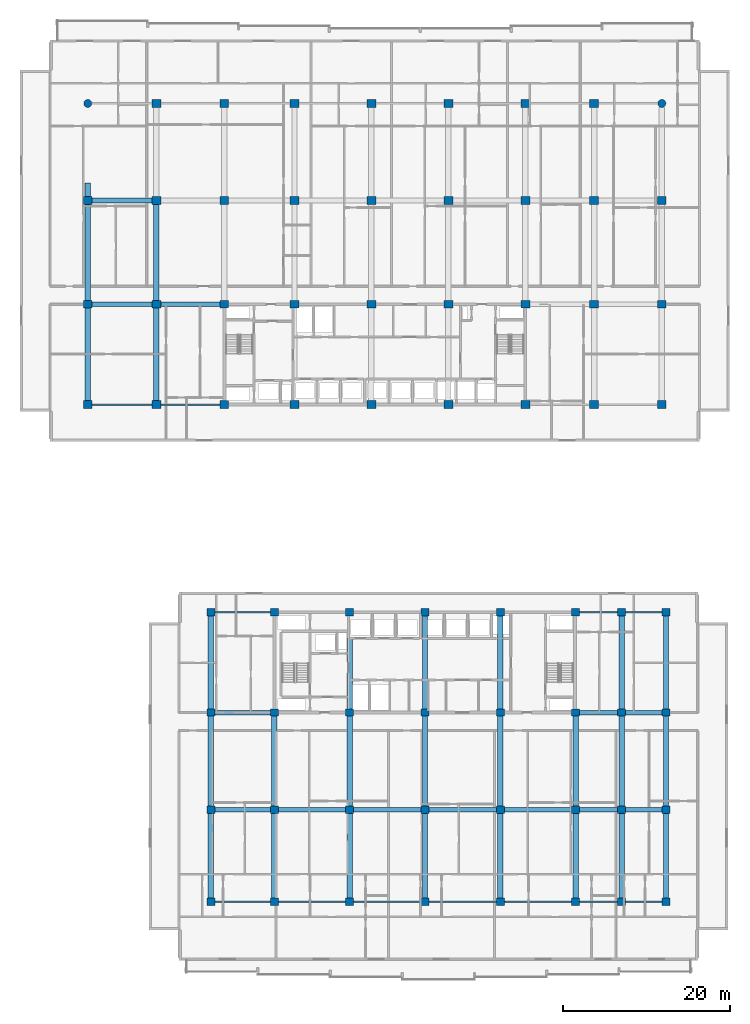
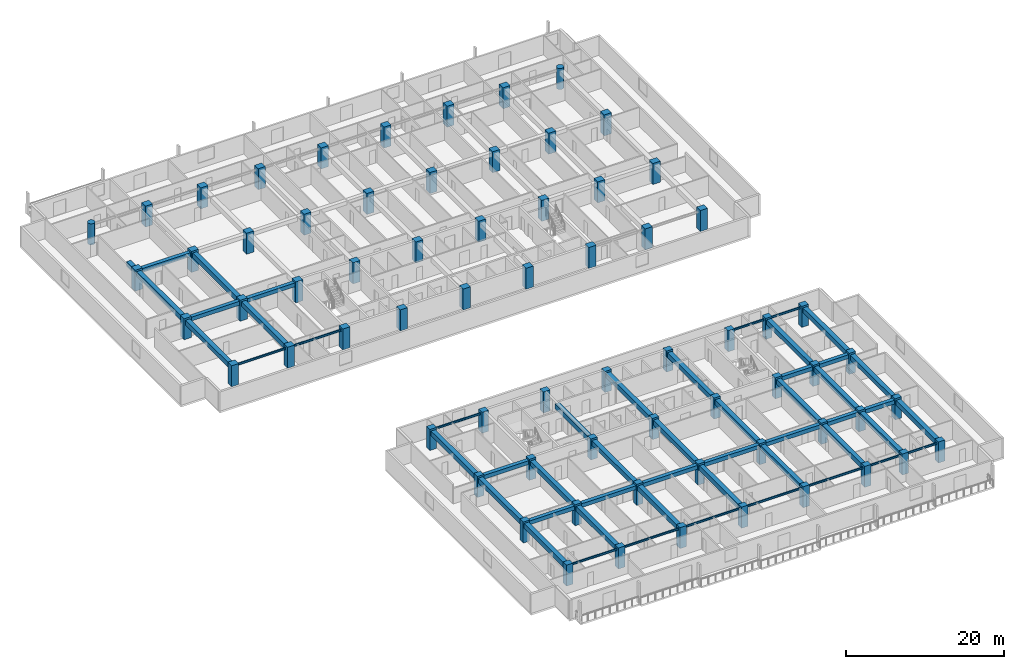
# One storey, part 1 of 24: 68 columns, 52 beams.
"""IFC4 building model written with IfcOpenShell, lengths in metres."""

from ifc_helpers import new_model, si_unit, direction, frame, origin, origin_2d, place, context, subcontext, project, spatial, rectangle, circle, i_section, extrude, material, material_profile, profile_set, type_object, element, save


model = new_model("IFC4")

# Units and contexts
model_context = context("Model", 3, precision=1e-05, world=origin(), true_north=direction((0.0, 1.0)))
body_context = subcontext(model_context, "Body", "Model", "MODEL_VIEW")
ifc_project = project(units=[si_unit("LENGTHUNIT", "METRE"), si_unit("AREAUNIT", "SQUARE_METRE"), si_unit("VOLUMEUNIT", "CUBIC_METRE"), si_unit("PLANEANGLEUNIT", "RADIAN"), si_unit("MASSUNIT", "GRAM", prefix="KILO")], contexts=[model_context])

# Site, building, storey
site_placement = place(None, origin())
site = spatial("IfcSite", under=ifc_project, at=site_placement, CompositionType="ELEMENT")
building_placement = place(site_placement, origin())
building = spatial("IfcBuilding", under=site, at=building_placement, Name="Korimba Cascade Residences", CompositionType="ELEMENT")
storey_placement = place(building_placement, frame((0.0, 0.0, 66.25)))
storey = spatial("IfcBuildingStorey", under=building, at=storey_placement, Name="L18", CompositionType="ELEMENT", Elevation=66.25)

# Columns
ifc_material_1 = material(Name="Concrete C80/95", Category="concrete")
ifc_material_profile_1 = material_profile(ifc_material_1, rectangle(XDim=1.050048828125, YDim=0.949951171875, at=origin_2d()), Name="Concrete C80/95")
ifc_profile_set_1 = profile_set([ifc_material_profile_1], Name="Concrete C80/95")
column_type_1 = type_object("IfcColumnType", Name="COL-RC-1050", PredefinedType="COLUMN", material=ifc_profile_set_1)
for number, where, z_axis, x_axis, name in (
    (1, (59.800048828125, 55.199951171875, 0.0), (0.0, 0.0, 1.0), (1.0, 0.0, 0.0), "L18 Tower 1 Column 1.1"),
    (2, (59.800048828125, 67.199951171875, 0.0), (0.0, 0.0, 1.0), (1.0, 0.0, 0.0), "L18 Tower 1 Column 1.2"),
    (3, (59.800048828125, 79.60009765625, 0.0), (0.0, 0.0, 1.0), (1.0, 0.0, 0.0), "L18 Tower 1 Column 1.3"),
    (4, (68.0, 55.199951171875, 0.0), (0.0, 0.0, 1.0), (1.0, 0.0, 0.0), "L18 Tower 1 Column 2.1"),
    (5, (68.0, 67.199951171875, 0.0), (0.0, 0.0, 1.0), (1.0, 0.0, 0.0), "L18 Tower 1 Column 2.2"),
    (6, (68.0, 79.60009765625, 0.0), (0.0, 0.0, 1.0), (1.0, 0.0, 0.0), "L18 Tower 1 Column 2.3"),
    (7, (68.0, 91.199951171875, 0.0), (0.0, 0.0, 1.0), (1.0, 0.0, 0.0), "L18 Tower 1 Column 2.4"),
    (8, (76.10009765625, 55.199951171875, 0.0), (0.0, 0.0, 1.0), (1.0, 0.0, 0.0), "L18 Tower 1 Column 3.1"),
    (9, (76.10009765625, 67.199951171875, 0.0), (0.0, 0.0, 1.0), (1.0, 0.0, 0.0), "L18 Tower 1 Column 3.2"),
    (10, (76.10009765625, 79.60009765625, 0.0), (0.0, 0.0, 1.0), (1.0, 0.0, 0.0), "L18 Tower 1 Column 3.3"),
    (11, (76.10009765625, 91.199951171875, 0.0), (0.0, 0.0, 1.0), (1.0, 0.0, 0.0), "L18 Tower 1 Column 3.4"),
    (12, (84.5, 55.199951171875, 0.0), (0.0, 0.0, 1.0), (1.0, 0.0, 0.0), "L18 Tower 1 Column 4.1"),
    (13, (84.5, 67.199951171875, 0.0), (0.0, 0.0, 1.0), (1.0, 0.0, 0.0), "L18 Tower 1 Column 4.2"),
    (14, (84.5, 79.60009765625, 0.0), (0.0, 0.0, 1.0), (1.0, 0.0, 0.0), "L18 Tower 1 Column 4.3"),
    (15, (84.5, 91.199951171875, 0.0), (0.0, 0.0, 1.0), (1.0, 0.0, 0.0), "L18 Tower 1 Column 4.4"),
    (16, (93.699951171875, 55.199951171875, 0.0), (0.0, 0.0, 1.0), (1.0, 0.0, 0.0), "L18 Tower 1 Column 5.1"),
    (17, (93.699951171875, 67.199951171875, 0.0), (0.0, 0.0, 1.0), (1.0, 0.0, 0.0), "L18 Tower 1 Column 5.2"),
    (18, (93.699951171875, 79.60009765625, 0.0), (0.0, 0.0, 1.0), (1.0, 0.0, 0.0), "L18 Tower 1 Column 5.3"),
    (19, (93.699951171875, 91.199951171875, 0.0), (0.0, 0.0, 1.0), (1.0, 0.0, 0.0), "L18 Tower 1 Column 5.4"),
    (20, (102.89990234375, 55.199951171875, 0.0), (0.0, 0.0, 1.0), (1.0, 0.0, 0.0), "L18 Tower 1 Column 6.1"),
    (21, (102.89990234375, 67.199951171875, 0.0), (0.0, 0.0, 1.0), (1.0, 0.0, 0.0), "L18 Tower 1 Column 6.2"),
    (22, (102.89990234375, 79.60009765625, 0.0), (0.0, 0.0, 1.0), (1.0, 0.0, 0.0), "L18 Tower 1 Column 6.3"),
    (23, (102.89990234375, 91.199951171875, 0.0), (0.0, 0.0, 1.0), (1.0, 0.0, 0.0), "L18 Tower 1 Column 6.4"),
    (24, (112.10009765625, 55.199951171875, 0.0), (0.0, 0.0, 1.0), (1.0, 0.0, 0.0), "L18 Tower 1 Column 7.1"),
    (25, (112.10009765625, 67.199951171875, 0.0), (0.0, 0.0, 1.0), (1.0, 0.0, 0.0), "L18 Tower 1 Column 7.2"),
    (26, (112.10009765625, 79.60009765625, 0.0), (0.0, 0.0, 1.0), (1.0, 0.0, 0.0), "L18 Tower 1 Column 7.3"),
    (27, (112.10009765625, 91.199951171875, 0.0), (0.0, 0.0, 1.0), (1.0, 0.0, 0.0), "L18 Tower 1 Column 7.4"),
    (28, (120.300048828125, 55.199951171875, 0.0), (0.0, 0.0, 1.0), (1.0, 0.0, 0.0), "L18 Tower 1 Column 8.1"),
    (29, (120.300048828125, 67.199951171875, 0.0), (0.0, 0.0, 1.0), (1.0, 0.0, 0.0), "L18 Tower 1 Column 8.2"),
    (30, (120.300048828125, 79.60009765625, 0.0), (0.0, 0.0, 1.0), (1.0, 0.0, 0.0), "L18 Tower 1 Column 8.3"),
    (31, (120.300048828125, 91.199951171875, 0.0), (0.0, 0.0, 1.0), (1.0, 0.0, 0.0), "L18 Tower 1 Column 8.4"),
    (32, (128.39990234375, 55.199951171875, 0.0), (0.0, 0.0, 1.0), (1.0, 0.0, 0.0), "L18 Tower 1 Column 9.1"),
    (33, (128.39990234375, 67.199951171875, 0.0), (0.0, 0.0, 1.0), (1.0, 0.0, 0.0), "L18 Tower 1 Column 9.2"),
    (34, (128.39990234375, 79.60009765625, 0.0), (0.0, 0.0, 1.0), (1.0, 0.0, 0.0), "L18 Tower 1 Column 9.3"),
):
    element("IfcColumn", number, at=place(storey_placement, frame(where, z_axis=z_axis, x_axis=x_axis)), inside=storey, type_object=column_type_1, Name=name, PredefinedType="COLUMN", context=body_context, shape_type="SweptSolid", body=[
        extrude(rectangle(XDim=1.050048828125, YDim=0.949951171875, at=origin_2d()), origin(), (0.0, 0.0, 1.0), 3.25),
    ])
ifc_material_2 = material(Name="Concrete C65/80", Category="concrete")
ifc_material_profile_2 = material_profile(ifc_material_2, rectangle(XDim=0.949951171875, YDim=0.85009765625, at=origin_2d()), Name="Concrete C65/80")
ifc_profile_set_2 = profile_set([ifc_material_profile_2], Name="Concrete C65/80")
column_type_2 = type_object("IfcColumnType", Name="COL-RC-950", PredefinedType="COLUMN", material=ifc_profile_set_2)
for number, where, z_axis, x_axis, name in (
    (35, (74.5, -4.199951171875, 0.0), (0.0, 0.0, 1.0), (1.0, 0.0, 0.0), "L18 Tower 2 Column 1.1"),
    (36, (74.5, 6.800048828125, 0.0), (0.0, 0.0, 1.0), (1.0, 0.0, 0.0), "L18 Tower 2 Column 1.2"),
    (37, (74.5, 18.39990234375, 0.0), (0.0, 0.0, 1.0), (1.0, 0.0, 0.0), "L18 Tower 2 Column 1.3"),
    (38, (74.5, 30.39990234375, 0.0), (0.0, 0.0, 1.0), (1.0, 0.0, 0.0), "L18 Tower 2 Column 1.4"),
    (39, (82.10009765625, -4.199951171875, 0.0), (0.0, 0.0, 1.0), (1.0, 0.0, 0.0), "L18 Tower 2 Column 2.1"),
    (40, (82.10009765625, 6.800048828125, 0.0), (0.0, 0.0, 1.0), (1.0, 0.0, 0.0), "L18 Tower 2 Column 2.2"),
    (41, (82.10009765625, 18.39990234375, 0.0), (0.0, 0.0, 1.0), (1.0, 0.0, 0.0), "L18 Tower 2 Column 2.3"),
    (42, (82.10009765625, 30.39990234375, 0.0), (0.0, 0.0, 1.0), (1.0, 0.0, 0.0), "L18 Tower 2 Column 2.4"),
    (43, (91.10009765625, -4.199951171875, 0.0), (0.0, 0.0, 1.0), (1.0, 0.0, 0.0), "L18 Tower 2 Column 3.1"),
    (44, (91.10009765625, 6.800048828125, 0.0), (0.0, 0.0, 1.0), (1.0, 0.0, 0.0), "L18 Tower 2 Column 3.2"),
    (45, (91.10009765625, 18.39990234375, 0.0), (0.0, 0.0, 1.0), (1.0, 0.0, 0.0), "L18 Tower 2 Column 3.3"),
    (46, (91.10009765625, 30.39990234375, 0.0), (0.0, 0.0, 1.0), (1.0, 0.0, 0.0), "L18 Tower 2 Column 3.4"),
    (47, (100.10009765625, -4.199951171875, 0.0), (0.0, 0.0, 1.0), (1.0, 0.0, 0.0), "L18 Tower 2 Column 4.1"),
    (48, (100.10009765625, 6.800048828125, 0.0), (0.0, 0.0, 1.0), (1.0, 0.0, 0.0), "L18 Tower 2 Column 4.2"),
    (49, (100.10009765625, 18.39990234375, 0.0), (0.0, 0.0, 1.0), (1.0, 0.0, 0.0), "L18 Tower 2 Column 4.3"),
    (50, (100.10009765625, 30.39990234375, 0.0), (0.0, 0.0, 1.0), (1.0, 0.0, 0.0), "L18 Tower 2 Column 4.4"),
    (51, (109.10009765625, -4.199951171875, 0.0), (0.0, 0.0, 1.0), (1.0, 0.0, 0.0), "L18 Tower 2 Column 5.1"),
    (52, (109.10009765625, 6.800048828125, 0.0), (0.0, 0.0, 1.0), (1.0, 0.0, 0.0), "L18 Tower 2 Column 5.2"),
    (53, (109.10009765625, 18.39990234375, 0.0), (0.0, 0.0, 1.0), (1.0, 0.0, 0.0), "L18 Tower 2 Column 5.3"),
    (54, (109.10009765625, 30.39990234375, 0.0), (0.0, 0.0, 1.0), (1.0, 0.0, 0.0), "L18 Tower 2 Column 5.4"),
    (55, (118.10009765625, -4.199951171875, 0.0), (0.0, 0.0, 1.0), (1.0, 0.0, 0.0), "L18 Tower 2 Column 6.1"),
    (56, (118.10009765625, 6.800048828125, 0.0), (0.0, 0.0, 1.0), (1.0, 0.0, 0.0), "L18 Tower 2 Column 6.2"),
    (57, (118.10009765625, 18.39990234375, 0.0), (0.0, 0.0, 1.0), (1.0, 0.0, 0.0), "L18 Tower 2 Column 6.3"),
    (58, (118.10009765625, 30.39990234375, 0.0), (0.0, 0.0, 1.0), (1.0, 0.0, 0.0), "L18 Tower 2 Column 6.4"),
    (59, (123.60009765625, -4.199951171875, 0.0), (0.0, 0.0, 1.0), (1.0, 0.0, 0.0), "L18 Tower 2 Column 7.1"),
    (60, (123.60009765625, 6.800048828125, 0.0), (0.0, 0.0, 1.0), (1.0, 0.0, 0.0), "L18 Tower 2 Column 7.2"),
    (61, (123.60009765625, 18.39990234375, 0.0), (0.0, 0.0, 1.0), (1.0, 0.0, 0.0), "L18 Tower 2 Column 7.3"),
    (62, (123.60009765625, 30.39990234375, 0.0), (0.0, 0.0, 1.0), (1.0, 0.0, 0.0), "L18 Tower 2 Column 7.4"),
    (63, (128.89990234375, -4.199951171875, 0.0), (0.0, 0.0, 1.0), (1.0, 0.0, 0.0), "L18 Tower 2 Column 8.1"),
    (64, (128.89990234375, 6.800048828125, 0.0), (0.0, 0.0, 1.0), (1.0, 0.0, 0.0), "L18 Tower 2 Column 8.2"),
    (65, (128.89990234375, 18.39990234375, 0.0), (0.0, 0.0, 1.0), (1.0, 0.0, 0.0), "L18 Tower 2 Column 8.3"),
    (66, (128.89990234375, 30.39990234375, 0.0), (0.0, 0.0, 1.0), (1.0, 0.0, 0.0), "L18 Tower 2 Column 8.4"),
):
    element("IfcColumn", number, at=place(storey_placement, frame(where, z_axis=z_axis, x_axis=x_axis)), inside=storey, type_object=column_type_2, Name=name, PredefinedType="COLUMN", context=body_context, shape_type="SweptSolid", body=[
        extrude(rectangle(XDim=0.949951171875, YDim=0.85009765625, at=origin_2d()), origin(), (0.0, 0.0, 1.0), 3.25),
    ])
ifc_material_profile_3 = material_profile(ifc_material_1, circle(Radius=0.47509765625, at=origin_2d()), Name="Concrete C80/95")
ifc_profile_set_3 = profile_set([ifc_material_profile_3], Name="Concrete C80/95")
column_type_3 = type_object("IfcColumnType", Name="COL-RC-D950", PredefinedType="COLUMN", material=ifc_profile_set_3)
for number, where, z_axis, x_axis, name in (
    (67, (59.800048828125, 91.199951171875, 0.0), (0.0, 0.0, 1.0), (1.0, 0.0, 0.0), "L18 Tower 1 Column 1.4"),
    (68, (128.39990234375, 91.199951171875, 0.0), (0.0, 0.0, 1.0), (1.0, 0.0, 0.0), "L18 Tower 1 Column 9.4"),
):
    element("IfcColumn", number, at=place(storey_placement, frame(where, z_axis=z_axis, x_axis=x_axis)), inside=storey, type_object=column_type_3, Name=name, PredefinedType="COLUMN", context=body_context, shape_type="SweptSolid", body=[
        extrude(circle(Radius=0.47509765625, at=origin_2d()), origin(), (0.0, 0.0, 1.0), 3.25),
    ])

# Beams
ifc_material_3 = material(Name="Concrete C50/60", Category="concrete")
ifc_material_profile_4 = material_profile(ifc_material_3, rectangle(XDim=0.550048828125, YDim=0.60009765625, at=origin_2d()), Name="Concrete C50/60")
ifc_profile_set_4 = profile_set([ifc_material_profile_4], Name="Concrete C50/60")
beam_type_1 = type_object("IfcBeamType", Name="BM-RC-B600", PredefinedType="BEAM", material=ifc_profile_set_4)
beam_1_placement = place(storey_placement, frame((60.324951171875, 67.199951171875, 2.669921875), z_axis=(1.0, 0.0, 0.0), x_axis=(0.0, 1.0, 0.0)))
element("IfcBeam", 69, at=beam_1_placement, inside=storey, type_object=beam_type_1, Name="L18 T1 E-W Girder Y2 Bay 1", PredefinedType="BEAM", context=body_context, shape_type="SweptSolid", body=[
    extrude(rectangle(XDim=0.550048828125, YDim=0.60009765625, at=origin_2d()), origin(), (0.0, 0.0, 1.0), 7.150146484375),
])
beam_2_placement = place(storey_placement, frame((68.52490234375, 67.199951171875, 2.669921875), z_axis=(1.0, 0.0, 0.0), x_axis=(0.0, 1.0, 0.0)))
element("IfcBeam", 70, at=beam_2_placement, inside=storey, type_object=beam_type_1, Name="L18 T1 E-W Girder Y2 Bay 2", PredefinedType="BEAM", context=body_context, shape_type="SweptSolid", body=[
    extrude(rectangle(XDim=0.550048828125, YDim=0.60009765625, at=origin_2d()), origin(), (0.0, 0.0, 1.0), 7.050048828125),
])
beam_3_placement = place(storey_placement, frame((60.324951171875, 79.60009765625, 2.669921875), z_axis=(1.0, 0.0, 0.0), x_axis=(0.0, 1.0, 0.0)))
element("IfcBeam", 71, at=beam_3_placement, inside=storey, type_object=beam_type_1, Name="L18 T1 E-W Girder Y3 Bay 1", PredefinedType="BEAM", context=body_context, shape_type="SweptSolid", body=[
    extrude(rectangle(XDim=0.550048828125, YDim=0.60009765625, at=origin_2d()), origin(), (0.0, 0.0, 1.0), 7.150146484375),
])
beam_4_placement = place(storey_placement, frame((74.97509765625, 6.800048828125, 2.669921875), z_axis=(1.0, 0.0, 0.0), x_axis=(0.0, 1.0, 0.0)))
element("IfcBeam", 72, at=beam_4_placement, inside=storey, type_object=beam_type_1, Name="L18 T2 E-W Girder Y2 Bay 1", PredefinedType="BEAM", context=body_context, shape_type="SweptSolid", body=[
    extrude(rectangle(XDim=0.550048828125, YDim=0.60009765625, at=origin_2d()), origin(), (0.0, 0.0, 1.0), 6.64990234375),
])
for number, where, z_axis, x_axis, name in (
    (73, (82.574951171875, 6.800048828125, 2.669921875), (1.0, 0.0, 0.0), (0.0, 1.0, 0.0), "L18 T2 E-W Girder Y2 Bay 2"),
    (74, (91.574951171875, 6.800048828125, 2.669921875), (1.0, 0.0, 0.0), (0.0, 1.0, 0.0), "L18 T2 E-W Girder Y2 Bay 3"),
    (75, (100.574951171875, 6.800048828125, 2.669921875), (1.0, 0.0, 0.0), (0.0, 1.0, 0.0), "L18 T2 E-W Girder Y2 Bay 4"),
    (76, (109.574951171875, 6.800048828125, 2.669921875), (1.0, 0.0, 0.0), (0.0, 1.0, 0.0), "L18 T2 E-W Girder Y2 Bay 5"),
):
    element("IfcBeam", number, at=place(storey_placement, frame(where, z_axis=z_axis, x_axis=x_axis)), inside=storey, type_object=beam_type_1, Name=name, PredefinedType="BEAM", context=body_context, shape_type="SweptSolid", body=[
        extrude(rectangle(XDim=0.550048828125, YDim=0.60009765625, at=origin_2d()), origin(), (0.0, 0.0, 1.0), 8.050048828125),
    ])
beam_5_placement = place(storey_placement, frame((118.574951171875, 6.800048828125, 2.669921875), z_axis=(1.0, 0.0, 0.0), x_axis=(0.0, 1.0, 0.0)))
element("IfcBeam", 77, at=beam_5_placement, inside=storey, type_object=beam_type_1, Name="L18 T2 E-W Girder Y2 Bay 6", PredefinedType="BEAM", context=body_context, shape_type="SweptSolid", body=[
    extrude(rectangle(XDim=0.550048828125, YDim=0.60009765625, at=origin_2d()), origin(), (0.0, 0.0, 1.0), 4.550048828125),
])
beam_6_placement = place(storey_placement, frame((124.074951171875, 6.800048828125, 2.669921875), z_axis=(1.0, 0.0, 0.0), x_axis=(0.0, 1.0, 0.0)))
element("IfcBeam", 78, at=beam_6_placement, inside=storey, type_object=beam_type_1, Name="L18 T2 E-W Girder Y2 Bay 7", PredefinedType="BEAM", context=body_context, shape_type="SweptSolid", body=[
    extrude(rectangle(XDim=0.550048828125, YDim=0.60009765625, at=origin_2d()), origin(), (0.0, 0.0, 1.0), 4.35009765625),
])
beam_7_placement = place(storey_placement, frame((74.97509765625, 18.39990234375, 2.669921875), z_axis=(1.0, 0.0, 0.0), x_axis=(0.0, 1.0, 0.0)))
element("IfcBeam", 79, at=beam_7_placement, inside=storey, type_object=beam_type_1, Name="L18 T2 E-W Girder Y3 Bay 1", PredefinedType="BEAM", context=body_context, shape_type="SweptSolid", body=[
    extrude(rectangle(XDim=0.550048828125, YDim=0.60009765625, at=origin_2d()), origin(), (0.0, 0.0, 1.0), 6.64990234375),
])
beam_8_placement = place(storey_placement, frame((118.574951171875, 18.39990234375, 2.669921875), z_axis=(1.0, 0.0, 0.0), x_axis=(0.0, 1.0, 0.0)))
element("IfcBeam", 80, at=beam_8_placement, inside=storey, type_object=beam_type_1, Name="L18 T2 E-W Girder Y3 Bay 6", PredefinedType="BEAM", context=body_context, shape_type="SweptSolid", body=[
    extrude(rectangle(XDim=0.550048828125, YDim=0.60009765625, at=origin_2d()), origin(), (0.0, 0.0, 1.0), 4.550048828125),
])
beam_9_placement = place(storey_placement, frame((124.074951171875, 18.39990234375, 2.669921875), z_axis=(1.0, 0.0, 0.0), x_axis=(0.0, 1.0, 0.0)))
element("IfcBeam", 81, at=beam_9_placement, inside=storey, type_object=beam_type_1, Name="L18 T2 E-W Girder Y3 Bay 7", PredefinedType="BEAM", context=body_context, shape_type="SweptSolid", body=[
    extrude(rectangle(XDim=0.550048828125, YDim=0.60009765625, at=origin_2d()), origin(), (0.0, 0.0, 1.0), 4.35009765625),
])
ifc_material_profile_5 = material_profile(ifc_material_3, rectangle(XDim=0.64990234375, YDim=0.75, at=origin_2d()), Name="Concrete C50/60")
ifc_profile_set_5 = profile_set([ifc_material_profile_5], Name="Concrete C50/60")
beam_type_2 = type_object("IfcBeamType", Name="BM-RC-G750", PredefinedType="BEAM", material=ifc_profile_set_5)
beam_10_placement = place(storey_placement, frame((59.800048828125, 55.675048828125, 2.594970703125), z_axis=(0.0, 1.0, 0.0), x_axis=(-1.0, 0.0, 0.0)))
element("IfcBeam", 82, at=beam_10_placement, inside=storey, type_object=beam_type_2, Name="L18 T1 N-S Girder X1 Seg 1", PredefinedType="BEAM", context=body_context, shape_type="SweptSolid", body=[
    extrude(rectangle(XDim=0.64990234375, YDim=0.75, at=origin_2d()), origin(), (0.0, 0.0, 1.0), 11.050048828125),
])
beam_11_placement = place(storey_placement, frame((59.800048828125, 67.675048828125, 2.594970703125), z_axis=(0.0, 1.0, 0.0), x_axis=(-1.0, 0.0, 0.0)))
element("IfcBeam", 83, at=beam_11_placement, inside=storey, type_object=beam_type_2, Name="L18 T1 N-S Girder X1 Seg 2", PredefinedType="BEAM", context=body_context, shape_type="SweptSolid", body=[
    extrude(rectangle(XDim=0.64990234375, YDim=0.75, at=origin_2d()), origin(), (0.0, 0.0, 1.0), 11.449951171875),
])
beam_12_placement = place(storey_placement, frame((59.800048828125, 80.074951171875, 2.594970703125), z_axis=(0.0, 1.0, 0.0), x_axis=(-1.0, 0.0, 0.0)))
element("IfcBeam", 84, at=beam_12_placement, inside=storey, type_object=beam_type_2, Name="L18 T1 N-S Girder X1 Seg 3", PredefinedType="BEAM", context=body_context, shape_type="SweptSolid", body=[
    extrude(rectangle(XDim=0.64990234375, YDim=0.75, at=origin_2d()), origin(), (0.0, 0.0, 1.0), 1.625),
])
beam_13_placement = place(storey_placement, frame((68.0, 55.675048828125, 2.594970703125), z_axis=(0.0, 1.0, 0.0), x_axis=(-1.0, 0.0, 0.0)))
element("IfcBeam", 85, at=beam_13_placement, inside=storey, type_object=beam_type_2, Name="L18 T1 N-S Girder X2 Seg 1", PredefinedType="BEAM", context=body_context, shape_type="SweptSolid", body=[
    extrude(rectangle(XDim=0.64990234375, YDim=0.75, at=origin_2d()), origin(), (0.0, 0.0, 1.0), 11.050048828125),
])
beam_14_placement = place(storey_placement, frame((68.0, 67.675048828125, 2.594970703125), z_axis=(0.0, 1.0, 0.0), x_axis=(-1.0, 0.0, 0.0)))
element("IfcBeam", 86, at=beam_14_placement, inside=storey, type_object=beam_type_2, Name="L18 T1 N-S Girder X2 Seg 2", PredefinedType="BEAM", context=body_context, shape_type="SweptSolid", body=[
    extrude(rectangle(XDim=0.64990234375, YDim=0.75, at=origin_2d()), origin(), (0.0, 0.0, 1.0), 11.449951171875),
])
beam_15_placement = place(storey_placement, frame((74.5, -3.77490234375, 2.594970703125), z_axis=(0.0, 1.0, 0.0), x_axis=(-1.0, 0.0, 0.0)))
element("IfcBeam", 87, at=beam_15_placement, inside=storey, type_object=beam_type_2, Name="L18 T2 N-S Girder X1 Seg 1", PredefinedType="BEAM", context=body_context, shape_type="SweptSolid", body=[
    extrude(rectangle(XDim=0.64990234375, YDim=0.75, at=origin_2d()), origin(), (0.0, 0.0, 1.0), 10.14990234375),
])
beam_16_placement = place(storey_placement, frame((74.5, 7.22509765625, 2.594970703125), z_axis=(0.0, 1.0, 0.0), x_axis=(-1.0, 0.0, 0.0)))
element("IfcBeam", 88, at=beam_16_placement, inside=storey, type_object=beam_type_2, Name="L18 T2 N-S Girder X1 Seg 2", PredefinedType="BEAM", context=body_context, shape_type="SweptSolid", body=[
    extrude(rectangle(XDim=0.64990234375, YDim=0.75, at=origin_2d()), origin(), (0.0, 0.0, 1.0), 10.75),
])
beam_17_placement = place(storey_placement, frame((74.5, 18.824951171875, 2.594970703125), z_axis=(0.0, 1.0, 0.0), x_axis=(-1.0, 0.0, 0.0)))
element("IfcBeam", 89, at=beam_17_placement, inside=storey, type_object=beam_type_2, Name="L18 T2 N-S Girder X1 Seg 3", PredefinedType="BEAM", context=body_context, shape_type="SweptSolid", body=[
    extrude(rectangle(XDim=0.64990234375, YDim=0.75, at=origin_2d()), origin(), (0.0, 0.0, 1.0), 11.150146484375),
])
beam_18_placement = place(storey_placement, frame((82.10009765625, -3.77490234375, 2.594970703125), z_axis=(0.0, 1.0, 0.0), x_axis=(-1.0, 0.0, 0.0)))
element("IfcBeam", 90, at=beam_18_placement, inside=storey, type_object=beam_type_2, Name="L18 T2 N-S Girder X2 Seg 1", PredefinedType="BEAM", context=body_context, shape_type="SweptSolid", body=[
    extrude(rectangle(XDim=0.64990234375, YDim=0.75, at=origin_2d()), origin(), (0.0, 0.0, 1.0), 10.14990234375),
])
beam_19_placement = place(storey_placement, frame((82.10009765625, 7.22509765625, 2.594970703125), z_axis=(0.0, 1.0, 0.0), x_axis=(-1.0, 0.0, 0.0)))
element("IfcBeam", 91, at=beam_19_placement, inside=storey, type_object=beam_type_2, Name="L18 T2 N-S Girder X2 Seg 2", PredefinedType="BEAM", context=body_context, shape_type="SweptSolid", body=[
    extrude(rectangle(XDim=0.64990234375, YDim=0.75, at=origin_2d()), origin(), (0.0, 0.0, 1.0), 10.75),
])
beam_20_placement = place(storey_placement, frame((91.10009765625, -3.77490234375, 2.594970703125), z_axis=(0.0, 1.0, 0.0), x_axis=(-1.0, 0.0, 0.0)))
element("IfcBeam", 92, at=beam_20_placement, inside=storey, type_object=beam_type_2, Name="L18 T2 N-S Girder X3 Seg 1", PredefinedType="BEAM", context=body_context, shape_type="SweptSolid", body=[
    extrude(rectangle(XDim=0.64990234375, YDim=0.75, at=origin_2d()), origin(), (0.0, 0.0, 1.0), 10.14990234375),
])
beam_21_placement = place(storey_placement, frame((91.10009765625, 7.22509765625, 2.594970703125), z_axis=(0.0, 1.0, 0.0), x_axis=(-1.0, 0.0, 0.0)))
element("IfcBeam", 93, at=beam_21_placement, inside=storey, type_object=beam_type_2, Name="L18 T2 N-S Girder X3 Seg 2", PredefinedType="BEAM", context=body_context, shape_type="SweptSolid", body=[
    extrude(rectangle(XDim=0.64990234375, YDim=0.75, at=origin_2d()), origin(), (0.0, 0.0, 1.0), 10.75),
])
beam_22_placement = place(storey_placement, frame((91.10009765625, 18.824951171875, 2.594970703125), z_axis=(0.0, 1.0, 0.0), x_axis=(-1.0, 0.0, 0.0)))
element("IfcBeam", 94, at=beam_22_placement, inside=storey, type_object=beam_type_2, Name="L18 T2 N-S Girder X3 Seg 3", PredefinedType="BEAM", context=body_context, shape_type="SweptSolid", body=[
    extrude(rectangle(XDim=0.64990234375, YDim=0.75, at=origin_2d()), origin(), (0.0, 0.0, 1.0), 8.51513671875),
])
beam_23_placement = place(storey_placement, frame((100.10009765625, -3.77490234375, 2.594970703125), z_axis=(0.0, 1.0, 0.0), x_axis=(-1.0, 0.0, 0.0)))
element("IfcBeam", 95, at=beam_23_placement, inside=storey, type_object=beam_type_2, Name="L18 T2 N-S Girder X4 Seg 1", PredefinedType="BEAM", context=body_context, shape_type="SweptSolid", body=[
    extrude(rectangle(XDim=0.64990234375, YDim=0.75, at=origin_2d()), origin(), (0.0, 0.0, 1.0), 10.14990234375),
])
beam_24_placement = place(storey_placement, frame((100.10009765625, 7.22509765625, 2.594970703125), z_axis=(0.0, 1.0, 0.0), x_axis=(-1.0, 0.0, 0.0)))
element("IfcBeam", 96, at=beam_24_placement, inside=storey, type_object=beam_type_2, Name="L18 T2 N-S Girder X4 Seg 2", PredefinedType="BEAM", context=body_context, shape_type="SweptSolid", body=[
    extrude(rectangle(XDim=0.64990234375, YDim=0.75, at=origin_2d()), origin(), (0.0, 0.0, 1.0), 10.75),
])
beam_25_placement = place(storey_placement, frame((100.10009765625, 18.824951171875, 2.594970703125), z_axis=(0.0, 1.0, 0.0), x_axis=(-1.0, 0.0, 0.0)))
element("IfcBeam", 97, at=beam_25_placement, inside=storey, type_object=beam_type_2, Name="L18 T2 N-S Girder X4 Seg 3", PredefinedType="BEAM", context=body_context, shape_type="SweptSolid", body=[
    extrude(rectangle(XDim=0.64990234375, YDim=0.75, at=origin_2d()), origin(), (0.0, 0.0, 1.0), 11.150146484375),
])
beam_26_placement = place(storey_placement, frame((109.10009765625, -3.77490234375, 2.594970703125), z_axis=(0.0, 1.0, 0.0), x_axis=(-1.0, 0.0, 0.0)))
element("IfcBeam", 98, at=beam_26_placement, inside=storey, type_object=beam_type_2, Name="L18 T2 N-S Girder X5 Seg 1", PredefinedType="BEAM", context=body_context, shape_type="SweptSolid", body=[
    extrude(rectangle(XDim=0.64990234375, YDim=0.75, at=origin_2d()), origin(), (0.0, 0.0, 1.0), 10.14990234375),
])
beam_27_placement = place(storey_placement, frame((109.10009765625, 7.22509765625, 2.594970703125), z_axis=(0.0, 1.0, 0.0), x_axis=(-1.0, 0.0, 0.0)))
element("IfcBeam", 99, at=beam_27_placement, inside=storey, type_object=beam_type_2, Name="L18 T2 N-S Girder X5 Seg 2", PredefinedType="BEAM", context=body_context, shape_type="SweptSolid", body=[
    extrude(rectangle(XDim=0.64990234375, YDim=0.75, at=origin_2d()), origin(), (0.0, 0.0, 1.0), 10.75),
])
beam_28_placement = place(storey_placement, frame((109.10009765625, 18.824951171875, 2.594970703125), z_axis=(0.0, 1.0, 0.0), x_axis=(-1.0, 0.0, 0.0)))
element("IfcBeam", 100, at=beam_28_placement, inside=storey, type_object=beam_type_2, Name="L18 T2 N-S Girder X5 Seg 3", PredefinedType="BEAM", context=body_context, shape_type="SweptSolid", body=[
    extrude(rectangle(XDim=0.64990234375, YDim=0.75, at=origin_2d()), origin(), (0.0, 0.0, 1.0), 11.150146484375),
])
beam_29_placement = place(storey_placement, frame((118.10009765625, -3.77490234375, 2.594970703125), z_axis=(0.0, 1.0, 0.0), x_axis=(-1.0, 0.0, 0.0)))
element("IfcBeam", 101, at=beam_29_placement, inside=storey, type_object=beam_type_2, Name="L18 T2 N-S Girder X6 Seg 1", PredefinedType="BEAM", context=body_context, shape_type="SweptSolid", body=[
    extrude(rectangle(XDim=0.64990234375, YDim=0.75, at=origin_2d()), origin(), (0.0, 0.0, 1.0), 10.14990234375),
])
beam_30_placement = place(storey_placement, frame((118.10009765625, 7.22509765625, 2.594970703125), z_axis=(0.0, 1.0, 0.0), x_axis=(-1.0, 0.0, 0.0)))
element("IfcBeam", 102, at=beam_30_placement, inside=storey, type_object=beam_type_2, Name="L18 T2 N-S Girder X6 Seg 2", PredefinedType="BEAM", context=body_context, shape_type="SweptSolid", body=[
    extrude(rectangle(XDim=0.64990234375, YDim=0.75, at=origin_2d()), origin(), (0.0, 0.0, 1.0), 10.75),
])
beam_31_placement = place(storey_placement, frame((123.60009765625, -3.77490234375, 2.594970703125), z_axis=(0.0, 1.0, 0.0), x_axis=(-1.0, 0.0, 0.0)))
element("IfcBeam", 103, at=beam_31_placement, inside=storey, type_object=beam_type_2, Name="L18 T2 N-S Girder X7 Seg 1", PredefinedType="BEAM", context=body_context, shape_type="SweptSolid", body=[
    extrude(rectangle(XDim=0.64990234375, YDim=0.75, at=origin_2d()), origin(), (0.0, 0.0, 1.0), 10.14990234375),
])
beam_32_placement = place(storey_placement, frame((123.60009765625, 7.22509765625, 2.594970703125), z_axis=(0.0, 1.0, 0.0), x_axis=(-1.0, 0.0, 0.0)))
element("IfcBeam", 104, at=beam_32_placement, inside=storey, type_object=beam_type_2, Name="L18 T2 N-S Girder X7 Seg 2", PredefinedType="BEAM", context=body_context, shape_type="SweptSolid", body=[
    extrude(rectangle(XDim=0.64990234375, YDim=0.75, at=origin_2d()), origin(), (0.0, 0.0, 1.0), 10.75),
])
beam_33_placement = place(storey_placement, frame((123.60009765625, 18.824951171875, 2.594970703125), z_axis=(0.0, 1.0, 0.0), x_axis=(-1.0, 0.0, 0.0)))
element("IfcBeam", 105, at=beam_33_placement, inside=storey, type_object=beam_type_2, Name="L18 T2 N-S Girder X7 Seg 3", PredefinedType="BEAM", context=body_context, shape_type="SweptSolid", body=[
    extrude(rectangle(XDim=0.64990234375, YDim=0.75, at=origin_2d()), origin(), (0.0, 0.0, 1.0), 11.150146484375),
])
beam_34_placement = place(storey_placement, frame((128.89990234375, -3.77490234375, 2.594970703125), z_axis=(0.0, 1.0, 0.0), x_axis=(-1.0, 0.0, 0.0)))
element("IfcBeam", 106, at=beam_34_placement, inside=storey, type_object=beam_type_2, Name="L18 T2 N-S Girder X8 Seg 1", PredefinedType="BEAM", context=body_context, shape_type="SweptSolid", body=[
    extrude(rectangle(XDim=0.64990234375, YDim=0.75, at=origin_2d()), origin(), (0.0, 0.0, 1.0), 10.14990234375),
])
beam_35_placement = place(storey_placement, frame((128.89990234375, 7.22509765625, 2.594970703125), z_axis=(0.0, 1.0, 0.0), x_axis=(-1.0, 0.0, 0.0)))
element("IfcBeam", 107, at=beam_35_placement, inside=storey, type_object=beam_type_2, Name="L18 T2 N-S Girder X8 Seg 2", PredefinedType="BEAM", context=body_context, shape_type="SweptSolid", body=[
    extrude(rectangle(XDim=0.64990234375, YDim=0.75, at=origin_2d()), origin(), (0.0, 0.0, 1.0), 10.75),
])
beam_36_placement = place(storey_placement, frame((128.89990234375, 18.824951171875, 2.594970703125), z_axis=(0.0, 1.0, 0.0), x_axis=(-1.0, 0.0, 0.0)))
element("IfcBeam", 108, at=beam_36_placement, inside=storey, type_object=beam_type_2, Name="L18 T2 N-S Girder X8 Seg 3", PredefinedType="BEAM", context=body_context, shape_type="SweptSolid", body=[
    extrude(rectangle(XDim=0.64990234375, YDim=0.75, at=origin_2d()), origin(), (0.0, 0.0, 1.0), 11.150146484375),
])
ifc_material_4 = material(Name="Steel S355", Category="steel")
ifc_material_profile_6 = material_profile(ifc_material_4, i_section(OverallWidth=0.165771484375, OverallDepth=0.306640625, WebThickness=0.006591796875, FlangeThickness=0.01171875, FilletRadius=0.0087890625, at=origin_2d()), Name="Steel S355")
ifc_profile_set_6 = profile_set([ifc_material_profile_6], Name="Steel S355")
beam_type_3 = type_object("IfcBeamType", Name="BM-STL-UB305", PredefinedType="SPANDREL", material=ifc_profile_set_6)
beam_37_placement = place(storey_placement, frame((60.324951171875, 55.199951171875, 2.816650390625), z_axis=(1.0, 0.0, 0.0), x_axis=(0.0, 1.0, 0.0)))
element("IfcBeam", 109, at=beam_37_placement, inside=storey, type_object=beam_type_3, Name="L18 T1 E-W Girder Y1 Bay 1", PredefinedType="SPANDREL", context=body_context, shape_type="SweptSolid", body=[
    extrude(i_section(OverallWidth=0.165771484375, OverallDepth=0.306640625, WebThickness=0.006591796875, FlangeThickness=0.01171875, FilletRadius=0.0087890625, at=origin_2d()), origin(), (0.0, 0.0, 1.0), 7.150146484375),
])
beam_38_placement = place(storey_placement, frame((68.52490234375, 55.199951171875, 2.816650390625), z_axis=(1.0, 0.0, 0.0), x_axis=(0.0, 1.0, 0.0)))
element("IfcBeam", 110, at=beam_38_placement, inside=storey, type_object=beam_type_3, Name="L18 T1 E-W Girder Y1 Bay 2", PredefinedType="SPANDREL", context=body_context, shape_type="SweptSolid", body=[
    extrude(i_section(OverallWidth=0.165771484375, OverallDepth=0.306640625, WebThickness=0.006591796875, FlangeThickness=0.01171875, FilletRadius=0.0087890625, at=origin_2d()), origin(), (0.0, 0.0, 1.0), 7.050048828125),
])
beam_39_placement = place(storey_placement, frame((74.97509765625, -4.199951171875, 2.816650390625), z_axis=(1.0, 0.0, 0.0), x_axis=(0.0, 1.0, 0.0)))
element("IfcBeam", 111, at=beam_39_placement, inside=storey, type_object=beam_type_3, Name="L18 T2 E-W Girder Y1 Bay 1", PredefinedType="SPANDREL", context=body_context, shape_type="SweptSolid", body=[
    extrude(i_section(OverallWidth=0.165771484375, OverallDepth=0.306640625, WebThickness=0.006591796875, FlangeThickness=0.01171875, FilletRadius=0.0087890625, at=origin_2d()), origin(), (0.0, 0.0, 1.0), 6.64990234375),
])
for number, where, z_axis, x_axis, name in (
    (112, (82.574951171875, -4.199951171875, 2.816650390625), (1.0, 0.0, 0.0), (0.0, 1.0, 0.0), "L18 T2 E-W Girder Y1 Bay 2"),
    (113, (91.574951171875, -4.199951171875, 2.816650390625), (1.0, 0.0, 0.0), (0.0, 1.0, 0.0), "L18 T2 E-W Girder Y1 Bay 3"),
    (114, (100.574951171875, -4.199951171875, 2.816650390625), (1.0, 0.0, 0.0), (0.0, 1.0, 0.0), "L18 T2 E-W Girder Y1 Bay 4"),
    (115, (109.574951171875, -4.199951171875, 2.816650390625), (1.0, 0.0, 0.0), (0.0, 1.0, 0.0), "L18 T2 E-W Girder Y1 Bay 5"),
):
    element("IfcBeam", number, at=place(storey_placement, frame(where, z_axis=z_axis, x_axis=x_axis)), inside=storey, type_object=beam_type_3, Name=name, PredefinedType="SPANDREL", context=body_context, shape_type="SweptSolid", body=[
        extrude(i_section(OverallWidth=0.165771484375, OverallDepth=0.306640625, WebThickness=0.006591796875, FlangeThickness=0.01171875, FilletRadius=0.0087890625, at=origin_2d()), origin(), (0.0, 0.0, 1.0), 8.050048828125),
    ])
beam_40_placement = place(storey_placement, frame((118.574951171875, -4.199951171875, 2.816650390625), z_axis=(1.0, 0.0, 0.0), x_axis=(0.0, 1.0, 0.0)))
element("IfcBeam", 116, at=beam_40_placement, inside=storey, type_object=beam_type_3, Name="L18 T2 E-W Girder Y1 Bay 6", PredefinedType="SPANDREL", context=body_context, shape_type="SweptSolid", body=[
    extrude(i_section(OverallWidth=0.165771484375, OverallDepth=0.306640625, WebThickness=0.006591796875, FlangeThickness=0.01171875, FilletRadius=0.0087890625, at=origin_2d()), origin(), (0.0, 0.0, 1.0), 4.550048828125),
])
beam_41_placement = place(storey_placement, frame((124.074951171875, -4.199951171875, 2.816650390625), z_axis=(1.0, 0.0, 0.0), x_axis=(0.0, 1.0, 0.0)))
element("IfcBeam", 117, at=beam_41_placement, inside=storey, type_object=beam_type_3, Name="L18 T2 E-W Girder Y1 Bay 7", PredefinedType="SPANDREL", context=body_context, shape_type="SweptSolid", body=[
    extrude(i_section(OverallWidth=0.165771484375, OverallDepth=0.306640625, WebThickness=0.006591796875, FlangeThickness=0.01171875, FilletRadius=0.0087890625, at=origin_2d()), origin(), (0.0, 0.0, 1.0), 4.35009765625),
])
beam_42_placement = place(storey_placement, frame((74.97509765625, 30.39990234375, 2.816650390625), z_axis=(1.0, 0.0, 0.0), x_axis=(0.0, 1.0, 0.0)))
element("IfcBeam", 118, at=beam_42_placement, inside=storey, type_object=beam_type_3, Name="L18 T2 E-W Girder Y4 Bay 1", PredefinedType="SPANDREL", context=body_context, shape_type="SweptSolid", body=[
    extrude(i_section(OverallWidth=0.165771484375, OverallDepth=0.306640625, WebThickness=0.006591796875, FlangeThickness=0.01171875, FilletRadius=0.0087890625, at=origin_2d()), origin(), (0.0, 0.0, 1.0), 6.64990234375),
])
beam_43_placement = place(storey_placement, frame((118.574951171875, 30.39990234375, 2.816650390625), z_axis=(1.0, 0.0, 0.0), x_axis=(0.0, 1.0, 0.0)))
element("IfcBeam", 119, at=beam_43_placement, inside=storey, type_object=beam_type_3, Name="L18 T2 E-W Girder Y4 Bay 6", PredefinedType="SPANDREL", context=body_context, shape_type="SweptSolid", body=[
    extrude(i_section(OverallWidth=0.165771484375, OverallDepth=0.306640625, WebThickness=0.006591796875, FlangeThickness=0.01171875, FilletRadius=0.0087890625, at=origin_2d()), origin(), (0.0, 0.0, 1.0), 4.550048828125),
])
beam_44_placement = place(storey_placement, frame((124.074951171875, 30.39990234375, 2.816650390625), z_axis=(1.0, 0.0, 0.0), x_axis=(0.0, 1.0, 0.0)))
element("IfcBeam", 120, at=beam_44_placement, inside=storey, type_object=beam_type_3, Name="L18 T2 E-W Girder Y4 Bay 7", PredefinedType="SPANDREL", context=body_context, shape_type="SweptSolid", body=[
    extrude(i_section(OverallWidth=0.165771484375, OverallDepth=0.306640625, WebThickness=0.006591796875, FlangeThickness=0.01171875, FilletRadius=0.0087890625, at=origin_2d()), origin(), (0.0, 0.0, 1.0), 4.35009765625),
])

save(model, "model.ifc")
